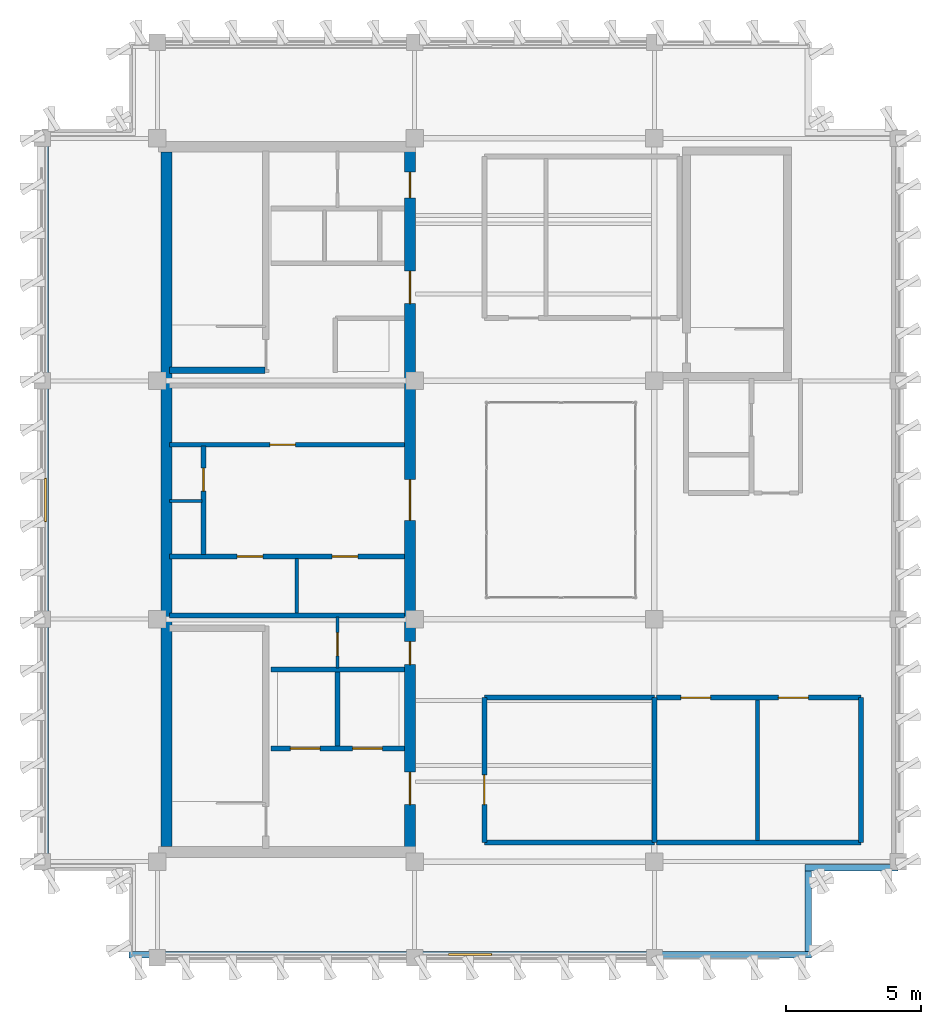
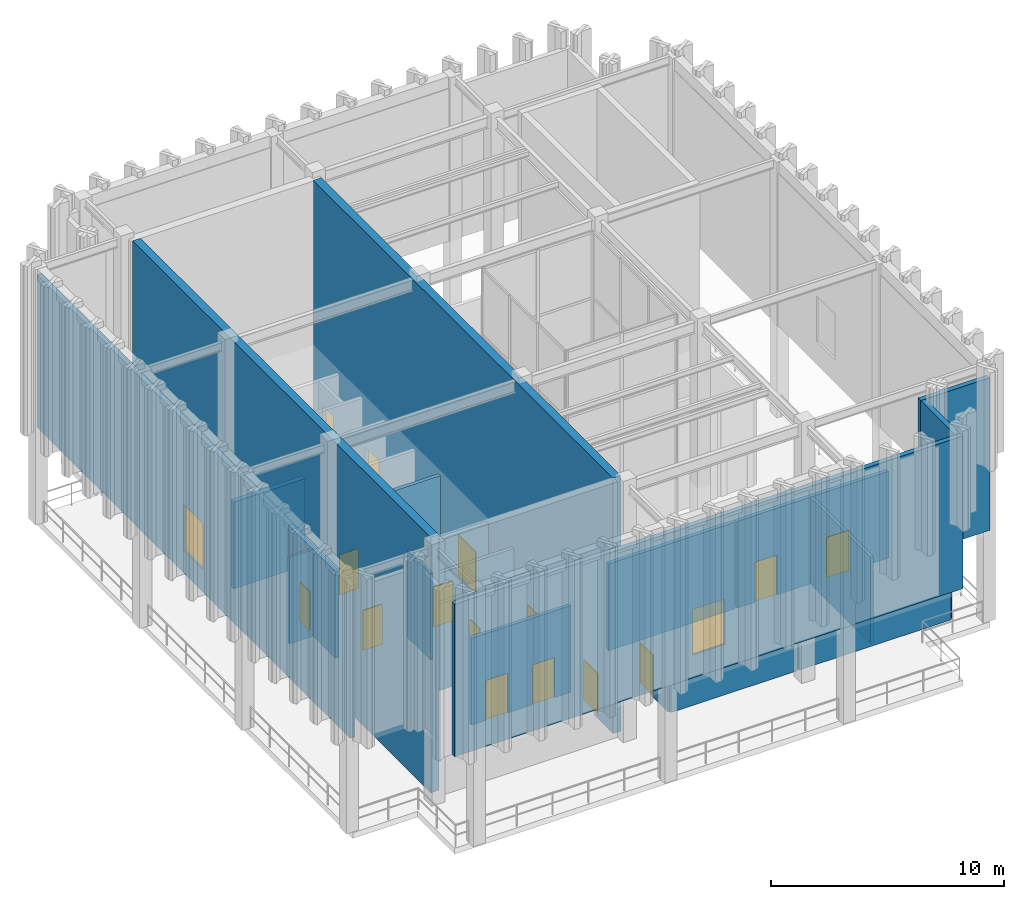
# One storey, part 11 of 15: 25 walls, 15 doors, 2 windows, 17 openings.
"""IFC4 building model written with IfcOpenShell, lengths in metres."""

from ifc_helpers import new_model, si_unit, direction, frame, frame_2d, origin, place, context, subcontext, project, spatial, rectangle, extrude, material, layer, layer_set, type_object, element, fill, save


model = new_model("IFC4")

# Units and contexts
model_context = context("Model", 3, precision=1e-05, world=origin(), true_north=direction((0.0, 1.0)))
body_context = subcontext(model_context, "Body", "Model", "MODEL_VIEW")
ifc_project = project(units=[si_unit("LENGTHUNIT", "METRE"), si_unit("AREAUNIT", "SQUARE_METRE"), si_unit("VOLUMEUNIT", "CUBIC_METRE"), si_unit("PLANEANGLEUNIT", "RADIAN"), si_unit("MASSUNIT", "GRAM", prefix="KILO")], contexts=[model_context])

# Site, building, storey
site_placement = place(None, origin())
site = spatial("IfcSite", under=ifc_project, at=site_placement, CompositionType="ELEMENT")
building_placement = place(site_placement, origin())
building = spatial("IfcBuilding", under=site, at=building_placement, Name="Kundavana Baori Tower", CompositionType="ELEMENT")
storey_placement = place(building_placement, frame((0.0, 0.0, 354.699951171875)))
storey = spatial("IfcBuildingStorey", under=building, at=storey_placement, Name="L88", CompositionType="ELEMENT", Elevation=354.699951171875)

# Wall
ifc_material_1 = material(Name="Concrete C50/60", Category="concrete")
ifc_layer_1 = layer(ifc_material_1, 0.39990234375, Name="WL-CORE-400")
ifc_layer_set_1 = layer_set([ifc_layer_1], Name="Concrete C50/60")
wall_type_1 = type_object("IfcWallType", Name="WL-CORE-400", PredefinedType="SHEAR", material=ifc_layer_set_1)
wall_1_placement = place(storey_placement, frame((15.7900390625, 15.81005859375, 0.0), z_axis=(0.0, 0.0, 1.0), x_axis=(0.0, 1.0, 0.0)))
element("IfcWall", 1, at=wall_1_placement, inside=storey, type_object=wall_type_1, Name="L88 Offset Core West Shear Wall", PredefinedType="SHEAR", context=body_context, shape_type="SweptSolid", body=[
    extrude(rectangle(XDim=25.6298828125, YDim=0.39990234375, at=frame_2d((12.81494140625, 0.0))), origin(), (0.0, 0.0, 1.0), 13.400146484375),
])

# Wall, openings, doors
wall_2_placement = place(storey_placement, frame((24.780029296875, 15.739990234375, 0.0), z_axis=(0.0, 0.0, 1.0), x_axis=(0.0, 1.0, 0.0)))
wall_2 = element("IfcWall", 2, at=wall_2_placement, inside=storey, type_object=wall_type_1, Name="L88 Offset Core East Shear Wall", PredefinedType="SHEAR", context=body_context, shape_type="SweptSolid", body=[
    extrude(rectangle(XDim=25.760009765625, YDim=0.39990234375, at=frame_2d((12.8798828125, 0.0))), origin(), (0.0, 0.0, 1.0), 13.400146484375),
])
opening_1_placement = place(wall_2_placement, frame((1.610107421875, 0.0, 0.0)))
opening_1 = element("IfcOpeningElement", 3, at=opening_1_placement, cuts=wall_2, Name="Opening FD-120", PredefinedType="OPENING", context=body_context, shape_type="SweptSolid", body=[
    extrude(rectangle(XDim=1.199951171875, YDim=2.10009765625, at=frame_2d((0.60009765625, 1.050048828125))), frame((0.0, 0.2099609375, 0.0), z_axis=(0.0, -1.0, 0.0), x_axis=(1.0, 0.0, 0.0)), (0.0, 0.0, 1.0), 0.419921875),
])
opening_2_placement = place(wall_2_placement, frame((6.780029296875, 0.0, 0.0)))
opening_2 = element("IfcOpeningElement", 4, at=opening_2_placement, cuts=wall_2, Name="Opening FD-085", PredefinedType="OPENING", context=body_context, shape_type="SweptSolid", body=[
    extrude(rectangle(XDim=0.85009765625, YDim=2.06005859375, at=frame_2d((0.425048828125, 1.030029296875))), frame((0.0, 0.2099609375, 0.0), z_axis=(0.0, -1.0, 0.0), x_axis=(1.0, 0.0, 0.0)), (0.0, 0.0, 1.0), 0.419921875),
])
opening_3_placement = place(wall_2_placement, frame((12.110107421875, 0.0, 0.0)))
opening_3 = element("IfcOpeningElement", 5, at=opening_3_placement, cuts=wall_2, Name="Opening FD-150", PredefinedType="OPENING", context=body_context, shape_type="SweptSolid", body=[
    extrude(rectangle(XDim=1.5, YDim=2.1201171875, at=frame_2d((0.75, 1.06005859375))), frame((0.0, 0.2099609375, 0.0), z_axis=(0.0, -1.0, 0.0), x_axis=(1.0, 0.0, 0.0)), (0.0, 0.0, 1.0), 0.419921875),
])
opening_4_placement = place(wall_2_placement, frame((20.110107421875, 0.0, 0.0)))
opening_4 = element("IfcOpeningElement", 6, at=opening_4_placement, cuts=wall_2, Name="Opening FD-122", PredefinedType="OPENING", context=body_context, shape_type="SweptSolid", body=[
    extrude(rectangle(XDim=1.199951171875, YDim=2.1201171875, at=frame_2d((0.60009765625, 1.06005859375))), frame((0.0, 0.2099609375, 0.0), z_axis=(0.0, -1.0, 0.0), x_axis=(1.0, 0.0, 0.0)), (0.0, 0.0, 1.0), 0.419921875),
])
opening_5_placement = place(wall_2_placement, frame((24.010009765625, 0.0, 0.0)))
opening_5 = element("IfcOpeningElement", 7, at=opening_5_placement, cuts=wall_2, Name="Opening FD-095", PredefinedType="OPENING", context=body_context, shape_type="SweptSolid", body=[
    extrude(rectangle(XDim=0.949951171875, YDim=2.10009765625, at=frame_2d((0.47509765625, 1.050048828125))), frame((0.0, 0.2099609375, 0.0), z_axis=(0.0, -1.0, 0.0), x_axis=(1.0, 0.0, 0.0)), (0.0, 0.0, 1.0), 0.419921875),
])
ifc_material_2 = material(Name="Galvanised Steel Fire-Rated Door Leaf", Category="steel")
door_type_1 = type_object("IfcDoorType", Name="DR-FD120-1200", OperationType="NOTDEFINED", PredefinedType="DOOR", material=ifc_material_2)
door_1_placement = place(opening_1_placement, frame((1.199951171875, 0.0, 0.0), z_axis=(0.0, 0.0, 1.0), x_axis=(-1.0, 0.0, 0.0)))
door_1 = element("IfcDoor", 8, at=door_1_placement, inside=storey, type_object=door_type_1, Name="DR-L88-FFLOB-E", OperationType="SINGLE_SWING_RIGHT", OverallHeight=2.10009765625, OverallWidth=1.199951171875, PredefinedType="DOOR", context=body_context, shape_type="SweptSolid", body=[
    extrude(rectangle(XDim=1.199951171875, YDim=2.10009765625, at=frame_2d((0.60009765625, 1.050048828125))), frame((0.0, 0.02490234375, 0.0), z_axis=(0.0, -1.0, 0.0), x_axis=(1.0, 0.0, 0.0)), (0.0, 0.0, 1.0), 0.050048828125),
])
fill(opening_1, door_1)
ifc_material_3 = material(Name="Galvanised Steel Fire-Rated Door Leaf", Category="steel")
door_type_2 = type_object("IfcDoorType", Name="DR-FD60-1200", OperationType="NOTDEFINED", PredefinedType="DOOR", material=ifc_material_3)
door_2_placement = place(opening_4_placement, frame((1.199951171875, 0.0, 0.0), z_axis=(0.0, 0.0, 1.0), x_axis=(-1.0, 0.0, 0.0)))
door_2 = element("IfcDoor", 9, at=door_2_placement, inside=storey, type_object=door_type_2, Name="DR-L88-HRLOB-E", OperationType="SINGLE_SWING_RIGHT", OverallHeight=2.1201171875, OverallWidth=1.199951171875, PredefinedType="DOOR", context=body_context, shape_type="SweptSolid", body=[
    extrude(rectangle(XDim=1.199951171875, YDim=2.1201171875, at=frame_2d((0.60009765625, 1.06005859375))), frame((0.0, 0.02490234375, 0.0), z_axis=(0.0, -1.0, 0.0), x_axis=(1.0, 0.0, 0.0)), (0.0, 0.0, 1.0), 0.050048828125),
])
fill(opening_4, door_2)
ifc_material_4 = material(Name="Galvanised Steel Fire-Rated Door Leaf", Category="steel")
door_type_3 = type_object("IfcDoorType", Name="DR-FD60-1500", OperationType="NOTDEFINED", PredefinedType="DOOR", material=ifc_material_4)
door_3_placement = place(opening_3_placement, frame((1.5, 0.0, 0.0), z_axis=(0.0, 0.0, 1.0), x_axis=(-1.0, 0.0, 0.0)))
door_3 = element("IfcDoor", 10, at=door_3_placement, inside=storey, type_object=door_type_3, Name="DR-L88-LIFTHALL-E", OperationType="SINGLE_SWING_LEFT", OverallHeight=2.1201171875, OverallWidth=1.5, PredefinedType="DOOR", context=body_context, shape_type="SweptSolid", body=[
    extrude(rectangle(XDim=1.5, YDim=2.1201171875, at=frame_2d((0.75, 1.06005859375))), frame((0.0, 0.02490234375, 0.0), z_axis=(0.0, -1.0, 0.0), x_axis=(1.0, 0.0, 0.0)), (0.0, 0.0, 1.0), 0.050048828125),
])
fill(opening_3, door_3)
ifc_material_5 = material(Name="Galvanised Steel Fire-Rated Door Leaf", Category="steel")
door_type_4 = type_object("IfcDoorType", Name="DR-FD60-850", OperationType="NOTDEFINED", PredefinedType="DOOR", material=ifc_material_5)
door_4_placement = place(opening_2_placement, frame((0.85009765625, 0.0, 0.0), z_axis=(0.0, 0.0, 1.0), x_axis=(-1.0, 0.0, 0.0)))
door_4 = element("IfcDoor", 11, at=door_4_placement, inside=storey, type_object=door_type_4, Name="DR-L88-CSMK2", OperationType="SINGLE_SWING_RIGHT", OverallHeight=2.06005859375, OverallWidth=0.85009765625, PredefinedType="DOOR", context=body_context, shape_type="SweptSolid", body=[
    extrude(rectangle(XDim=0.85009765625, YDim=2.06005859375, at=frame_2d((0.425048828125, 1.030029296875))), frame((0.0, 0.02490234375, 0.0), z_axis=(0.0, -1.0, 0.0), x_axis=(1.0, 0.0, 0.0)), (0.0, 0.0, 1.0), 0.050048828125),
])
fill(opening_2, door_4)
ifc_material_6 = material(Name="Engineered Teak Fire-Rated Timber Door Leaf", Category="wood")
door_type_5 = type_object("IfcDoorType", Name="DR-FD60-950", OperationType="NOTDEFINED", PredefinedType="DOOR", material=ifc_material_6)
door_5_placement = place(opening_5_placement, frame((0.949951171875, 0.0, 0.0), z_axis=(0.0, 0.0, 1.0), x_axis=(-1.0, 0.0, 0.0)))
door_5 = element("IfcDoor", 12, at=door_5_placement, inside=storey, type_object=door_type_5, Name="DR-L88-CSRV2", OperationType="SINGLE_SWING_RIGHT", OverallHeight=2.10009765625, OverallWidth=0.949951171875, PredefinedType="DOOR", context=body_context, shape_type="SweptSolid", body=[
    extrude(rectangle(XDim=0.949951171875, YDim=2.10009765625, at=frame_2d((0.47509765625, 1.050048828125))), frame((0.0, 0.02490234375, 0.0), z_axis=(0.0, -1.0, 0.0), x_axis=(1.0, 0.0, 0.0)), (0.0, 0.0, 1.0), 0.050048828125),
])
fill(opening_5, door_5)

# Wall
wall_3_placement = place(storey_placement, frame((15.89990234375, 33.389892578125, 0.0), z_axis=(0.0, 0.0, 1.0), x_axis=(1.0, 0.0, 0.0)))
element("IfcWall", 13, at=wall_3_placement, inside=storey, type_object=wall_type_1, Name="WL-L88-ST2-S", PredefinedType="SHEAR", context=body_context, shape_type="SweptSolid", body=[
    extrude(rectangle(XDim=3.52001953125, YDim=0.239990234375, at=frame_2d((1.760009765625, 0.0))), origin(), (0.0, 0.0, 1.0), 4.550048828125),
])

# Wall, opening, window
ifc_material_7 = material(Name="Red-Buff Dholpur Sandstone Cladding on Concrete C40/50", Category="masonry")
ifc_layer_2 = layer(ifc_material_7, 0.239990234375, Name="WL-EXT-CRN-240")
ifc_layer_set_2 = layer_set([ifc_layer_2], Name="Red-Buff Dholpur Sandstone Cladding on Concrete C40/50")
wall_type_2 = type_object("IfcWallType", Name="WL-EXT-CRN-240", PredefinedType="ELEMENTEDWALL", material=ifc_layer_set_2)
wall_4_placement = place(storey_placement, frame((14.39990234375, 11.820068359375, 4.800048828125), z_axis=(0.0, 0.0, 1.0), x_axis=(1.0, 0.0, 0.0)))
wall_4 = element("IfcWall", 14, at=wall_4_placement, inside=storey, type_object=wall_type_2, Name="L88 Stepped Crown Dholpur Stone Louvre Screen Wall 01", PredefinedType="ELEMENTEDWALL", context=body_context, shape_type="SweptSolid", body=[
    extrude(rectangle(XDim=25.2001953125, YDim=0.239990234375, at=frame_2d((12.60009765625, 0.0))), origin(), (0.0, 0.0, 1.0), 8.0),
])
opening_6_placement = place(wall_4_placement, frame((11.800048828125, 0.0, 1.199951171875)))
opening_6 = element("IfcOpeningElement", 15, at=opening_6_placement, cuts=wall_4, Name="Opening W-06", PredefinedType="OPENING", context=body_context, shape_type="SweptSolid", body=[
    extrude(rectangle(XDim=1.60009765625, YDim=2.39990234375, at=frame_2d((0.800048828125, 1.199951171875))), frame((0.0, 0.1298828125, 0.0), z_axis=(0.0, -1.0, 0.0), x_axis=(1.0, 0.0, 0.0)), (0.0, 0.0, 1.0), 0.260009765625),
])
ifc_material_8 = material(Name="Double-Glazed Solar-Control Low-E Insulated Glass", Category="glass")
window_type = type_object("IfcWindowType", Name="WIN-CRN-1600x2400", PartitioningType="SINGLE_PANEL", PredefinedType="WINDOW", material=ifc_material_8)
window_1_placement = place(opening_6_placement, origin())
window_1 = element("IfcWindow", 16, at=window_1_placement, inside=storey, type_object=window_type, Name="L88 Crown Clerestory Window 01", OverallHeight=2.39990234375, OverallWidth=1.60009765625, PartitioningType="SINGLE_PANEL", PredefinedType="WINDOW", context=body_context, shape_type="SweptSolid", body=[
    extrude(rectangle(XDim=1.60009765625, YDim=2.39990234375, at=frame_2d((0.800048828125, 1.199951171875))), frame((0.0, 0.030029296875, 0.0), z_axis=(0.0, -1.0, 0.0), x_axis=(1.0, 0.0, 0.0)), (0.0, 0.0, 1.0), 0.06005859375),
])
fill(opening_6, window_1)

# Walls
wall_5_placement = place(storey_placement, frame((39.47998046875, 11.93994140625, 4.800048828125), z_axis=(0.0, 0.0, 1.0), x_axis=(0.0, 1.0, 0.0)))
element("IfcWall", 17, at=wall_5_placement, inside=storey, type_object=wall_type_2, Name="L88 Stepped Crown Dholpur Stone Louvre Screen Wall 02", PredefinedType="ELEMENTEDWALL", context=body_context, shape_type="SweptSolid", body=[
    extrude(rectangle(XDim=2.9599609375, YDim=0.239990234375, at=frame_2d((1.47998046875, 0.0))), origin(), (0.0, 0.0, 1.0), 8.0),
])
wall_6_placement = place(storey_placement, frame((39.360107421875, 15.02001953125, 4.800048828125), z_axis=(0.0, 0.0, 1.0), x_axis=(1.0, 0.0, 0.0)))
element("IfcWall", 18, at=wall_6_placement, inside=storey, type_object=wall_type_2, Name="L88 Stepped Crown Dholpur Stone Louvre Screen Wall 03", PredefinedType="ELEMENTEDWALL", context=body_context, shape_type="SweptSolid", body=[
    extrude(rectangle(XDim=3.43994140625, YDim=0.239990234375, at=frame_2d((1.719970703125, 0.0))), origin(), (0.0, 0.0, 1.0), 8.0),
])

# Wall, opening, window
wall_7_placement = place(storey_placement, frame((11.320068359375, 42.06005859375, 4.800048828125), z_axis=(0.0, 0.0, 1.0), x_axis=(0.0, -1.0, 0.0)))
wall_7 = element("IfcWall", 19, at=wall_7_placement, inside=storey, type_object=wall_type_2, Name="L88 Stepped Crown Dholpur Stone Louvre Screen Wall 10", PredefinedType="ELEMENTEDWALL", context=body_context, shape_type="SweptSolid", body=[
    extrude(rectangle(XDim=26.920166015625, YDim=0.239990234375, at=frame_2d((13.4599609375, 0.0))), origin(), (0.0, 0.0, 1.0), 8.0),
])
opening_7_placement = place(wall_7_placement, frame((12.659912109375, 0.0, 1.199951171875)))
opening_7 = element("IfcOpeningElement", 20, at=opening_7_placement, cuts=wall_7, Name="Opening W-06", PredefinedType="OPENING", context=body_context, shape_type="SweptSolid", body=[
    extrude(rectangle(XDim=1.60009765625, YDim=2.39990234375, at=frame_2d((0.800048828125, 1.199951171875))), frame((0.0, 0.1298828125, 0.0), z_axis=(0.0, -1.0, 0.0), x_axis=(1.0, 0.0, 0.0)), (0.0, 0.0, 1.0), 0.260009765625),
])
window_2_placement = place(opening_7_placement, origin())
window_2 = element("IfcWindow", 21, at=window_2_placement, inside=storey, type_object=window_type, Name="L88 Crown Clerestory Window 10", OverallHeight=2.39990234375, OverallWidth=1.60009765625, PartitioningType="SINGLE_PANEL", PredefinedType="WINDOW", context=body_context, shape_type="SweptSolid", body=[
    extrude(rectangle(XDim=1.60009765625, YDim=2.39990234375, at=frame_2d((0.800048828125, 1.199951171875))), frame((0.0, 0.030029296875, 0.0), z_axis=(0.0, -1.0, 0.0), x_axis=(1.0, 0.0, 0.0)), (0.0, 0.0, 1.0), 0.06005859375),
])
fill(opening_7, window_2)

# Wall, opening, door
ifc_material_9 = material(Name="Acoustic Gypsum Plasterboard on Galvanised Steel Studs", Category="steel")
ifc_layer_3 = layer(ifc_material_9, 0.1201171875, Name="WL-PART-120")
ifc_layer_set_3 = layer_set([ifc_layer_3], Name="Acoustic Gypsum Plasterboard on Galvanised Steel Studs")
wall_type_3 = type_object("IfcWallType", Name="WL-PART-120", PredefinedType="PARTITIONING", material=ifc_layer_set_3)
wall_8_placement = place(storey_placement, frame((22.10009765625, 22.39990234375, 0.0), z_axis=(0.0, 0.0, 1.0), x_axis=(0.0, 1.0, 0.0)))
wall_8 = element("IfcWall", 22, at=wall_8_placement, inside=storey, type_object=wall_type_3, Name="WL-L88-CSMK-D1", PredefinedType="PARTITIONING", context=body_context, shape_type="SweptSolid", body=[
    extrude(rectangle(XDim=1.880126953125, YDim=0.1201171875, at=frame_2d((0.93994140625, 0.0))), origin(), (0.0, 0.0, 1.0), 4.550048828125),
])
opening_8_placement = place(wall_8_placement, frame((0.449951171875, 0.0, 0.0)))
opening_8 = element("IfcOpeningElement", 23, at=opening_8_placement, cuts=wall_8, Name="Opening FD-085", PredefinedType="OPENING", context=body_context, shape_type="SweptSolid", body=[
    extrude(rectangle(XDim=0.85009765625, YDim=2.06005859375, at=frame_2d((0.425048828125, 1.030029296875))), frame((0.0, 0.070068359375, 0.0), z_axis=(0.0, -1.0, 0.0), x_axis=(1.0, 0.0, 0.0)), (0.0, 0.0, 1.0), 0.14013671875),
])
door_6_placement = place(opening_8_placement, origin())
door_6 = element("IfcDoor", 24, at=door_6_placement, inside=storey, type_object=door_type_4, Name="DR-L88-CSMK1", OperationType="SINGLE_SWING_LEFT", OverallHeight=2.06005859375, OverallWidth=0.85009765625, PredefinedType="DOOR", context=body_context, shape_type="SweptSolid", body=[
    extrude(rectangle(XDim=0.85009765625, YDim=2.06005859375, at=frame_2d((0.425048828125, 1.030029296875))), frame((0.0, 0.02490234375, 0.0), z_axis=(0.0, -1.0, 0.0), x_axis=(1.0, 0.0, 0.0)), (0.0, 0.0, 1.0), 0.050048828125),
])
fill(opening_8, door_6)

# Walls
wall_9_placement = place(storey_placement, frame((20.60009765625, 24.419921875, 0.0), z_axis=(0.0, 0.0, 1.0), x_axis=(0.0, 1.0, 0.0)))
element("IfcWall", 25, at=wall_9_placement, inside=storey, type_object=wall_type_3, Name="WL-L88-FRLOW-DIV", PredefinedType="PARTITIONING", context=body_context, shape_type="SweptSolid", body=[
    extrude(rectangle(XDim=2.02001953125, YDim=0.1201171875, at=frame_2d((1.010009765625, 0.0))), origin(), (0.0, 0.0, 1.0), 4.550048828125),
])
wall_10_placement = place(storey_placement, frame((15.89990234375, 28.56005859375, 0.0), z_axis=(0.0, 0.0, 1.0), x_axis=(1.0, 0.0, 0.0)))
element("IfcWall", 26, at=wall_10_placement, inside=storey, type_object=wall_type_3, Name="WL-L88-RSRW-N", PredefinedType="PARTITIONING", context=body_context, shape_type="SweptSolid", body=[
    extrude(rectangle(XDim=1.2001953125, YDim=0.1201171875, at=frame_2d((0.60009765625, 0.0))), origin(), (0.0, 0.0, 1.0), 4.550048828125),
])
ifc_material_10 = material(Name="Fire-Rated Gypsum Drywall on Galvanised Steel Studs", Category="steel")
ifc_layer_4 = layer(ifc_material_10, 0.14990234375, Name="WL-PART-150")
ifc_layer_set_4 = layer_set([ifc_layer_4], Name="Fire-Rated Gypsum Drywall on Galvanised Steel Studs")
wall_type_4 = type_object("IfcWallType", Name="WL-PART-150", PredefinedType="PARTITIONING", material=ifc_layer_set_4)
wall_11_placement = place(storey_placement, frame((37.60009765625, 16.030029296875, 0.0), z_axis=(0.0, 0.0, 1.0), x_axis=(0.0, 1.0, 0.0)))
element("IfcWall", 27, at=wall_11_placement, inside=storey, type_object=wall_type_4, Name="WL-L88-PLSD", PredefinedType="PARTITIONING", context=body_context, shape_type="SweptSolid", body=[
    extrude(rectangle(XDim=5.18994140625, YDim=0.14990234375, at=frame_2d((2.594970703125, 0.0))), origin(), (0.0, 0.0, 1.0), 4.550048828125),
])

# Wall, opening, door
ifc_material_11 = material(Name="Autoclaved Aerated Concrete Blockwork Masonry", Category="masonry")
ifc_layer_5 = layer(ifc_material_11, 0.18505859375, Name="WL-PART-180")
ifc_layer_set_5 = layer_set([ifc_layer_5], Name="Autoclaved Aerated Concrete Blockwork Masonry")
wall_type_5 = type_object("IfcWallType", Name="WL-PART-180", PredefinedType="SOLIDWALL", material=ifc_layer_set_5)
wall_12_placement = place(storey_placement, frame((27.52001953125, 15.949951171875, 0.0), z_axis=(0.0, 0.0, 1.0), x_axis=(0.0, 1.0, 0.0)))
wall_12 = element("IfcWall", 28, at=wall_12_placement, inside=storey, type_object=wall_type_5, Name="WL-L88-REF-W", PredefinedType="SOLIDWALL", context=body_context, shape_type="SweptSolid", body=[
    extrude(rectangle(XDim=5.35009765625, YDim=0.18505859375, at=frame_2d((2.675048828125, 0.0))), origin(), (0.0, 0.0, 1.0), 4.550048828125),
])
opening_9_placement = place(wall_12_placement, frame((1.39990234375, 0.0, 0.0)))
opening_9 = element("IfcOpeningElement", 29, at=opening_9_placement, cuts=wall_12, Name="Opening FD-110", PredefinedType="OPENING", context=body_context, shape_type="SweptSolid", body=[
    extrude(rectangle(XDim=1.10009765625, YDim=2.10009765625, at=frame_2d((0.550048828125, 1.050048828125))), frame((0.0, 0.1025390625, 0.0), z_axis=(0.0, -1.0, 0.0), x_axis=(1.0, 0.0, 0.0)), (0.0, 0.0, 1.0), 0.205078125),
])
ifc_material_12 = material(Name="Galvanised Steel Fire-Rated Door Leaf", Category="steel")
door_type_6 = type_object("IfcDoorType", Name="DR-FD120-1100", OperationType="NOTDEFINED", PredefinedType="DOOR", material=ifc_material_12)
door_7_placement = place(opening_9_placement, origin())
door_7 = element("IfcDoor", 30, at=door_7_placement, inside=storey, type_object=door_type_6, Name="DR-L88-PFAN", OperationType="SINGLE_SWING_LEFT", OverallHeight=2.10009765625, OverallWidth=1.10009765625, PredefinedType="DOOR", context=body_context, shape_type="SweptSolid", body=[
    extrude(rectangle(XDim=1.10009765625, YDim=2.10009765625, at=frame_2d((0.550048828125, 1.050048828125))), frame((0.0, 0.02490234375, 0.0), z_axis=(0.0, -1.0, 0.0), x_axis=(1.0, 0.0, 0.0)), (0.0, 0.0, 1.0), 0.050048828125),
])
fill(opening_9, door_7)

# Walls
for number, where, z_axis, x_axis, name in (
    (31, (27.52001953125, 15.949951171875, 0.0), (0.0, 0.0, 1.0), (1.0, 0.0, 0.0), "WL-L88-REF-S"),
    (32, (27.52001953125, 21.300048828125, 0.0), (0.0, 0.0, 1.0), (1.0, 0.0, 0.0), "WL-L88-REF-N"),
):
    element("IfcWall", number, at=place(storey_placement, frame(where, z_axis=z_axis, x_axis=x_axis)), inside=storey, type_object=wall_type_5, Name=name, PredefinedType="SOLIDWALL", context=body_context, shape_type="SweptSolid", body=[
        extrude(rectangle(XDim=6.280029296875, YDim=0.18505859375, at=frame_2d((3.14013671875, 0.0))), origin(), (0.0, 0.0, 1.0), 4.550048828125),
    ])
wall_13_placement = place(storey_placement, frame((33.800048828125, 15.949951171875, 0.0), z_axis=(0.0, 0.0, 1.0), x_axis=(0.0, 1.0, 0.0)))
element("IfcWall", 33, at=wall_13_placement, inside=storey, type_object=wall_type_5, Name="WL-L88-REF-E", PredefinedType="SOLIDWALL", context=body_context, shape_type="SweptSolid", body=[
    extrude(rectangle(XDim=5.35009765625, YDim=0.18505859375, at=frame_2d((2.675048828125, 0.0))), origin(), (0.0, 0.0, 1.0), 4.550048828125),
])

# Wall, openings, doors
wall_14_placement = place(storey_placement, frame((33.8798828125, 21.300048828125, 0.0), z_axis=(0.0, 0.0, 1.0), x_axis=(1.0, 0.0, 0.0)))
wall_14 = element("IfcWall", 34, at=wall_14_placement, inside=storey, type_object=wall_type_5, Name="WL-L88-PLS", PredefinedType="SOLIDWALL", context=body_context, shape_type="SweptSolid", body=[
    extrude(rectangle(XDim=7.5400390625, YDim=0.18505859375, at=frame_2d((3.77001953125, 0.0))), origin(), (0.0, 0.0, 1.0), 4.550048828125),
])
opening_10_placement = place(wall_14_placement, frame((0.89990234375, 0.0, 0.0)))
opening_10 = element("IfcOpeningElement", 35, at=opening_10_placement, cuts=wall_14, Name="Opening FD-110", PredefinedType="OPENING", context=body_context, shape_type="SweptSolid", body=[
    extrude(rectangle(XDim=1.10009765625, YDim=2.10009765625, at=frame_2d((0.550048828125, 1.050048828125))), frame((0.0, 0.1025390625, 0.0), z_axis=(0.0, -1.0, 0.0), x_axis=(1.0, 0.0, 0.0)), (0.0, 0.0, 1.0), 0.205078125),
])
opening_11_placement = place(wall_14_placement, frame((4.5, 0.0, 0.0)))
opening_11 = element("IfcOpeningElement", 36, at=opening_11_placement, cuts=wall_14, Name="Opening FD-110", PredefinedType="OPENING", context=body_context, shape_type="SweptSolid", body=[
    extrude(rectangle(XDim=1.10009765625, YDim=2.10009765625, at=frame_2d((0.550048828125, 1.050048828125))), frame((0.0, 0.1025390625, 0.0), z_axis=(0.0, -1.0, 0.0), x_axis=(1.0, 0.0, 0.0)), (0.0, 0.0, 1.0), 0.205078125),
])
door_8_placement = place(opening_10_placement, frame((1.10009765625, 0.0, 0.0), z_axis=(0.0, 0.0, 1.0), x_axis=(-1.0, 0.0, 0.0)))
door_8 = element("IfcDoor", 37, at=door_8_placement, inside=storey, type_object=door_type_6, Name="DR-L88-PL1", OperationType="SINGLE_SWING_LEFT", OverallHeight=2.10009765625, OverallWidth=1.10009765625, PredefinedType="DOOR", context=body_context, shape_type="SweptSolid", body=[
    extrude(rectangle(XDim=1.10009765625, YDim=2.10009765625, at=frame_2d((0.550048828125, 1.050048828125))), frame((0.0, 0.02490234375, 0.0), z_axis=(0.0, -1.0, 0.0), x_axis=(1.0, 0.0, 0.0)), (0.0, 0.0, 1.0), 0.050048828125),
])
fill(opening_10, door_8)
door_9_placement = place(opening_11_placement, frame((1.10009765625, 0.0, 0.0), z_axis=(0.0, 0.0, 1.0), x_axis=(-1.0, 0.0, 0.0)))
door_9 = element("IfcDoor", 38, at=door_9_placement, inside=storey, type_object=door_type_6, Name="DR-L88-PL2", OperationType="SINGLE_SWING_RIGHT", OverallHeight=2.10009765625, OverallWidth=1.10009765625, PredefinedType="DOOR", context=body_context, shape_type="SweptSolid", body=[
    extrude(rectangle(XDim=1.10009765625, YDim=2.10009765625, at=frame_2d((0.550048828125, 1.050048828125))), frame((0.0, 0.02490234375, 0.0), z_axis=(0.0, -1.0, 0.0), x_axis=(1.0, 0.0, 0.0)), (0.0, 0.0, 1.0), 0.050048828125),
])
fill(opening_11, door_9)

# Walls
wall_15_placement = place(storey_placement, frame((41.419921875, 15.949951171875, 0.0), z_axis=(0.0, 0.0, 1.0), x_axis=(0.0, 1.0, 0.0)))
element("IfcWall", 39, at=wall_15_placement, inside=storey, type_object=wall_type_5, Name="WL-L88-PLSE", PredefinedType="SOLIDWALL", context=body_context, shape_type="SweptSolid", body=[
    extrude(rectangle(XDim=5.35009765625, YDim=0.18505859375, at=frame_2d((2.675048828125, 0.0))), origin(), (0.0, 0.0, 1.0), 4.550048828125),
])
wall_16_placement = place(storey_placement, frame((33.8798828125, 15.949951171875, 0.0), z_axis=(0.0, 0.0, 1.0), x_axis=(1.0, 0.0, 0.0)))
element("IfcWall", 40, at=wall_16_placement, inside=storey, type_object=wall_type_5, Name="WL-L88-PLSS", PredefinedType="SOLIDWALL", context=body_context, shape_type="SweptSolid", body=[
    extrude(rectangle(XDim=7.5400390625, YDim=0.18505859375, at=frame_2d((3.77001953125, 0.0))), origin(), (0.0, 0.0, 1.0), 4.550048828125),
])

# Wall, openings, doors
ifc_material_13 = material(Name="Autoclaved Aerated Concrete Blockwork Masonry", Category="masonry")
ifc_layer_6 = layer(ifc_material_13, 0.179931640625, Name="WL-SHAFT-180")
ifc_layer_set_6 = layer_set([ifc_layer_6], Name="Autoclaved Aerated Concrete Blockwork Masonry")
wall_type_6 = type_object("IfcWallType", Name="WL-SHAFT-180", PredefinedType="SOLIDWALL", material=ifc_layer_set_6)
wall_17_placement = place(storey_placement, frame((19.639892578125, 19.419921875, 0.0), z_axis=(0.0, 0.0, 1.0), x_axis=(1.0, 0.0, 0.0)))
wall_17 = element("IfcWall", 41, at=wall_17_placement, inside=storey, type_object=wall_type_6, Name="WL-L88-FFL-S", PredefinedType="SOLIDWALL", context=body_context, shape_type="SweptSolid", body=[
    extrude(rectangle(XDim=4.940185546875, YDim=0.179931640625, at=frame_2d((2.47021484375, 0.0))), origin(), (0.0, 0.0, 1.0), 4.550048828125),
])
opening_12_placement = place(wall_17_placement, frame((0.719970703125, 0.0, 0.0)))
opening_12 = element("IfcOpeningElement", 42, at=opening_12_placement, cuts=wall_17, Name="Opening LD-110", PredefinedType="OPENING", context=body_context, shape_type="SweptSolid", body=[
    extrude(rectangle(XDim=1.10009765625, YDim=2.10009765625, at=frame_2d((0.550048828125, 1.050048828125))), frame((0.0, 0.10009765625, 0.0), z_axis=(0.0, -1.0, 0.0), x_axis=(1.0, 0.0, 0.0)), (0.0, 0.0, 1.0), 0.199951171875),
])
opening_13_placement = place(wall_17_placement, frame((3.02001953125, 0.0, 0.0)))
opening_13 = element("IfcOpeningElement", 43, at=opening_13_placement, cuts=wall_17, Name="Opening LD-110", PredefinedType="OPENING", context=body_context, shape_type="SweptSolid", body=[
    extrude(rectangle(XDim=1.10009765625, YDim=2.10009765625, at=frame_2d((0.550048828125, 1.050048828125))), frame((0.0, 0.10009765625, 0.0), z_axis=(0.0, -1.0, 0.0), x_axis=(1.0, 0.0, 0.0)), (0.0, 0.0, 1.0), 0.199951171875),
])
ifc_material_14 = material(Name="Galvanised Steel Fire-Rated Door Leaf", Category="steel")
door_type_7 = type_object("IfcDoorType", Name="DR-SLIDE-LD1100", OperationType="NOTDEFINED", PredefinedType="DOOR", material=ifc_material_14)
door_10_placement = place(opening_12_placement, origin())
door_10 = element("IfcDoor", 44, at=door_10_placement, inside=storey, type_object=door_type_7, Name="DR-L88-LD-FFL-1", OperationType="DOUBLE_DOOR_SLIDING", OverallHeight=2.10009765625, OverallWidth=1.10009765625, PredefinedType="DOOR", context=body_context, shape_type="SweptSolid", body=[
    extrude(rectangle(XDim=1.10009765625, YDim=2.10009765625, at=frame_2d((0.550048828125, 1.050048828125))), frame((0.0, 0.02490234375, 0.0), z_axis=(0.0, -1.0, 0.0), x_axis=(1.0, 0.0, 0.0)), (0.0, 0.0, 1.0), 0.050048828125),
])
fill(opening_12, door_10)
door_11_placement = place(opening_13_placement, origin())
door_11 = element("IfcDoor", 45, at=door_11_placement, inside=storey, type_object=door_type_7, Name="DR-L88-LD-FFL-2", OperationType="DOUBLE_DOOR_SLIDING", OverallHeight=2.10009765625, OverallWidth=1.10009765625, PredefinedType="DOOR", context=body_context, shape_type="SweptSolid", body=[
    extrude(rectangle(XDim=1.10009765625, YDim=2.10009765625, at=frame_2d((0.550048828125, 1.050048828125))), frame((0.0, 0.02490234375, 0.0), z_axis=(0.0, -1.0, 0.0), x_axis=(1.0, 0.0, 0.0)), (0.0, 0.0, 1.0), 0.050048828125),
])
fill(opening_13, door_11)

# Walls
wall_18_placement = place(storey_placement, frame((22.10009765625, 19.510009765625, 0.0), z_axis=(0.0, 0.0, 1.0), x_axis=(0.0, 1.0, 0.0)))
element("IfcWall", 46, at=wall_18_placement, inside=storey, type_object=wall_type_6, Name="WL-L88-FFL-MID", PredefinedType="SOLIDWALL", context=body_context, shape_type="SweptSolid", body=[
    extrude(rectangle(XDim=2.739990234375, YDim=0.179931640625, at=frame_2d((1.3701171875, 0.0))), origin(), (0.0, 0.0, 1.0), 4.550048828125),
])
wall_19_placement = place(storey_placement, frame((19.639892578125, 22.340087890625, 0.0), z_axis=(0.0, 0.0, 1.0), x_axis=(1.0, 0.0, 0.0)))
element("IfcWall", 47, at=wall_19_placement, inside=storey, type_object=wall_type_6, Name="WL-L88-FFL-N", PredefinedType="SOLIDWALL", context=body_context, shape_type="SweptSolid", body=[
    extrude(rectangle(XDim=4.940185546875, YDim=0.179931640625, at=frame_2d((2.47021484375, 0.0))), origin(), (0.0, 0.0, 1.0), 4.550048828125),
])

# Wall, openings, doors
wall_20_placement = place(storey_placement, frame((15.89990234375, 26.52001953125, 0.0), z_axis=(0.0, 0.0, 1.0), x_axis=(1.0, 0.0, 0.0)))
wall_20 = element("IfcWall", 48, at=wall_20_placement, inside=storey, type_object=wall_type_6, Name="WL-L88-LPLOW-N", PredefinedType="SOLIDWALL", context=body_context, shape_type="SweptSolid", body=[
    extrude(rectangle(XDim=8.68017578125, YDim=0.179931640625, at=frame_2d((4.340087890625, 0.0))), origin(), (0.0, 0.0, 1.0), 4.550048828125),
])
opening_14_placement = place(wall_20_placement, frame((2.5, 0.0, 0.0)))
opening_14 = element("IfcOpeningElement", 49, at=opening_14_placement, cuts=wall_20, Name="Opening FD-095", PredefinedType="OPENING", context=body_context, shape_type="SweptSolid", body=[
    extrude(rectangle(XDim=0.949951171875, YDim=2.10009765625, at=frame_2d((0.47509765625, 1.050048828125))), frame((0.0, 0.10009765625, 0.0), z_axis=(0.0, -1.0, 0.0), x_axis=(1.0, 0.0, 0.0)), (0.0, 0.0, 1.0), 0.199951171875),
])
opening_15_placement = place(wall_20_placement, frame((6.0, 0.0, 0.0)))
opening_15 = element("IfcOpeningElement", 50, at=opening_15_placement, cuts=wall_20, Name="Opening FD-095", PredefinedType="OPENING", context=body_context, shape_type="SweptSolid", body=[
    extrude(rectangle(XDim=0.949951171875, YDim=2.10009765625, at=frame_2d((0.47509765625, 1.050048828125))), frame((0.0, 0.10009765625, 0.0), z_axis=(0.0, -1.0, 0.0), x_axis=(1.0, 0.0, 0.0)), (0.0, 0.0, 1.0), 0.199951171875),
])
door_12_placement = place(opening_14_placement, origin())
door_12 = element("IfcDoor", 51, at=door_12_placement, inside=storey, type_object=door_type_5, Name="DR-L88-FRLOW1", OperationType="SINGLE_SWING_LEFT", OverallHeight=2.10009765625, OverallWidth=0.949951171875, PredefinedType="DOOR", context=body_context, shape_type="SweptSolid", body=[
    extrude(rectangle(XDim=0.949951171875, YDim=2.10009765625, at=frame_2d((0.47509765625, 1.050048828125))), frame((0.0, 0.02490234375, 0.0), z_axis=(0.0, -1.0, 0.0), x_axis=(1.0, 0.0, 0.0)), (0.0, 0.0, 1.0), 0.050048828125),
])
fill(opening_14, door_12)
door_13_placement = place(opening_15_placement, origin())
door_13 = element("IfcDoor", 52, at=door_13_placement, inside=storey, type_object=door_type_5, Name="DR-L88-FRLOW2", OperationType="SINGLE_SWING_RIGHT", OverallHeight=2.10009765625, OverallWidth=0.949951171875, PredefinedType="DOOR", context=body_context, shape_type="SweptSolid", body=[
    extrude(rectangle(XDim=0.949951171875, YDim=2.10009765625, at=frame_2d((0.47509765625, 1.050048828125))), frame((0.0, 0.02490234375, 0.0), z_axis=(0.0, -1.0, 0.0), x_axis=(1.0, 0.0, 0.0)), (0.0, 0.0, 1.0), 0.050048828125),
])
fill(opening_15, door_13)

# Wall
wall_21_placement = place(storey_placement, frame((15.89990234375, 24.330078125, 0.0), z_axis=(0.0, 0.0, 1.0), x_axis=(1.0, 0.0, 0.0)))
element("IfcWall", 53, at=wall_21_placement, inside=storey, type_object=wall_type_6, Name="WL-L88-LPLOW-S", PredefinedType="SOLIDWALL", context=body_context, shape_type="SweptSolid", body=[
    extrude(rectangle(XDim=8.68017578125, YDim=0.179931640625, at=frame_2d((4.340087890625, 0.0))), origin(), (0.0, 0.0, 1.0), 4.550048828125),
])

# Wall, opening, door
wall_22_placement = place(storey_placement, frame((17.159912109375, 26.580078125, 0.0), z_axis=(0.0, 0.0, 1.0), x_axis=(0.0, 1.0, 0.0)))
wall_22 = element("IfcWall", 54, at=wall_22_placement, inside=storey, type_object=wall_type_6, Name="WL-L88-RSRW-E", PredefinedType="SOLIDWALL", context=body_context, shape_type="SweptSolid", body=[
    extrude(rectangle(XDim=4.02001953125, YDim=0.179931640625, at=frame_2d((2.010009765625, 0.0))), origin(), (0.0, 0.0, 1.0), 4.550048828125),
])
opening_16_placement = place(wall_22_placement, frame((2.35009765625, 0.0, 0.0)))
opening_16 = element("IfcOpeningElement", 55, at=opening_16_placement, cuts=wall_22, Name="Opening FD-085", PredefinedType="OPENING", context=body_context, shape_type="SweptSolid", body=[
    extrude(rectangle(XDim=0.85009765625, YDim=2.06005859375, at=frame_2d((0.425048828125, 1.030029296875))), frame((0.0, 0.10009765625, 0.0), z_axis=(0.0, -1.0, 0.0), x_axis=(1.0, 0.0, 0.0)), (0.0, 0.0, 1.0), 0.199951171875),
])
door_14_placement = place(opening_16_placement, origin())
door_14 = element("IfcDoor", 56, at=door_14_placement, inside=storey, type_object=door_type_4, Name="DR-L88-CLN", OperationType="SINGLE_SWING_RIGHT", OverallHeight=2.06005859375, OverallWidth=0.85009765625, PredefinedType="DOOR", context=body_context, shape_type="SweptSolid", body=[
    extrude(rectangle(XDim=0.85009765625, YDim=2.06005859375, at=frame_2d((0.425048828125, 1.030029296875))), frame((0.0, 0.02490234375, 0.0), z_axis=(0.0, -1.0, 0.0), x_axis=(1.0, 0.0, 0.0)), (0.0, 0.0, 1.0), 0.050048828125),
])
fill(opening_16, door_14)

wall_23_placement = place(storey_placement, frame((15.89990234375, 30.639892578125, 0.0), z_axis=(0.0, 0.0, 1.0), x_axis=(1.0, 0.0, 0.0)))
wall_23 = element("IfcWall", 57, at=wall_23_placement, inside=storey, type_object=wall_type_6, Name="WL-L88-LPMID-S", PredefinedType="SOLIDWALL", context=body_context, shape_type="SweptSolid", body=[
    extrude(rectangle(XDim=8.68017578125, YDim=0.179931640625, at=frame_2d((4.340087890625, 0.0))), origin(), (0.0, 0.0, 1.0), 4.550048828125),
])
opening_17_placement = place(wall_23_placement, frame((3.699951171875, 0.0, 0.0)))
opening_17 = element("IfcOpeningElement", 58, at=opening_17_placement, cuts=wall_23, Name="Opening FD-095", PredefinedType="OPENING", context=body_context, shape_type="SweptSolid", body=[
    extrude(rectangle(XDim=0.949951171875, YDim=2.10009765625, at=frame_2d((0.47509765625, 1.050048828125))), frame((0.0, 0.10009765625, 0.0), z_axis=(0.0, -1.0, 0.0), x_axis=(1.0, 0.0, 0.0)), (0.0, 0.0, 1.0), 0.199951171875),
])
door_15_placement = place(opening_17_placement, frame((0.949951171875, 0.0, 0.0), z_axis=(0.0, 0.0, 1.0), x_axis=(-1.0, 0.0, 0.0)))
door_15 = element("IfcDoor", 59, at=door_15_placement, inside=storey, type_object=door_type_5, Name="DR-L88-FRMID1", OperationType="SINGLE_SWING_RIGHT", OverallHeight=2.10009765625, OverallWidth=0.949951171875, PredefinedType="DOOR", context=body_context, shape_type="SweptSolid", body=[
    extrude(rectangle(XDim=0.949951171875, YDim=2.10009765625, at=frame_2d((0.47509765625, 1.050048828125))), frame((0.0, 0.02490234375, 0.0), z_axis=(0.0, -1.0, 0.0), x_axis=(1.0, 0.0, 0.0)), (0.0, 0.0, 1.0), 0.050048828125),
])
fill(opening_17, door_15)

save(model, "model.ifc")
